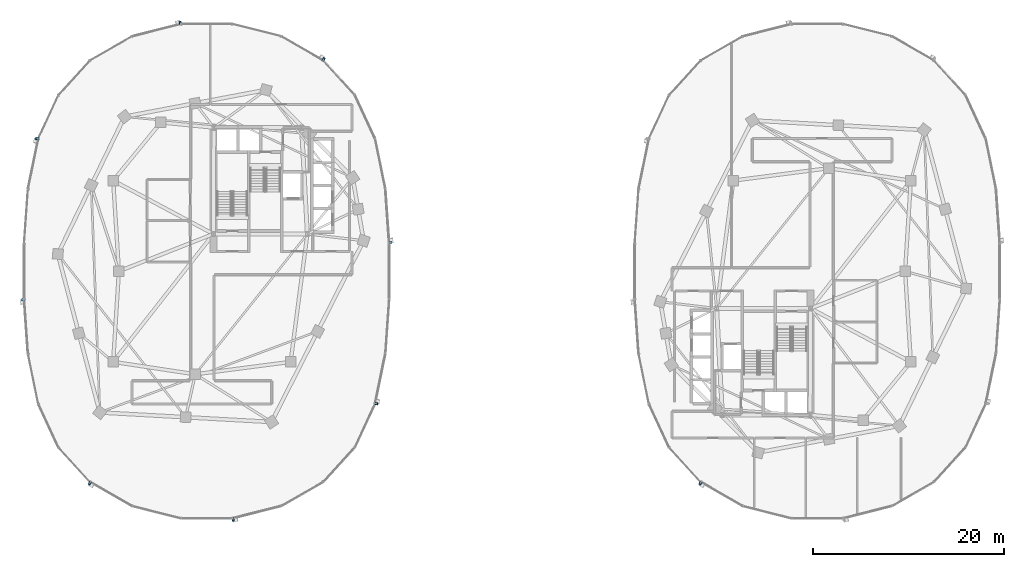
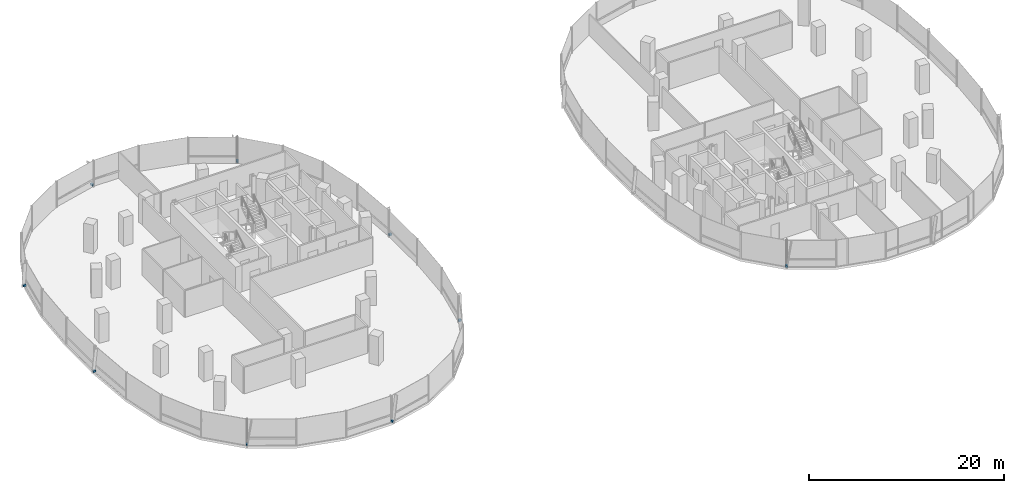
# One storey, part 14 of 20: 9 discrete accessories.
"""IFC4 building model written with IfcOpenShell, lengths in metres."""

from ifc_helpers import new_model, si_unit, direction, frame, origin, origin_2d, place, context, subcontext, project, spatial, rectangle, extrude, material, type_object, element, save


model = new_model("IFC4")

# Units and contexts
model_context = context("Model", 3, precision=1e-05, world=origin(), true_north=direction((0.0, 1.0)))
body_context = subcontext(model_context, "Body", "Model", "MODEL_VIEW")
ifc_project = project(units=[si_unit("LENGTHUNIT", "METRE"), si_unit("AREAUNIT", "SQUARE_METRE"), si_unit("VOLUMEUNIT", "CUBIC_METRE"), si_unit("PLANEANGLEUNIT", "RADIAN"), si_unit("MASSUNIT", "GRAM", prefix="KILO"), si_unit("THERMODYNAMICTEMPERATUREUNIT", "KELVIN"), si_unit("POWERUNIT", "WATT")], contexts=[model_context])

# Site, building, storey
site_placement = place(None, origin())
site = spatial("IfcSite", under=ifc_project, at=site_placement, CompositionType="ELEMENT")
building_placement = place(site_placement, origin())
building = spatial("IfcBuilding", under=site, at=building_placement, Name="Cundina Bronze Exchange", CompositionType="ELEMENT")
storey_placement = place(building_placement, frame((0.0, 0.0, 128.60009765625)))
storey = spatial("IfcBuildingStorey", under=building, at=storey_placement, Name="L33", CompositionType="ELEMENT", Elevation=128.60009765625)

# Discrete accessories
ifc_material = material(Name="Anodised Bronze Aluminium 6063-T6", Category="aluminium")
discrete_accessory_type = type_object("IfcDiscreteAccessoryType", Name="ACC-BRK-FIN", PredefinedType="BRACKET", material=ifc_material)
for number, where, z_axis, x_axis, name in (
    (1, (-12.735595703125, 2.986083984375, 0.10009765625), (0.0, 0.0, 1.0), (-0.070278787473, 0.997527389113, 0.0), "L33 Fin Support Bracket 1"),
    (2, (-19.740478515625, 22.21875, 0.10009765625), (0.0, 0.0, 1.0), (-0.867105478933, 0.498124571171, 0.0), "L33 Fin Support Bracket 5"),
    (3, (-34.76025390625, 26.03173828125, 0.10009765625), (0.0, 0.0, 1.0), (-0.969488149345, -0.245138182011, 0.0), "L33 Fin Support Bracket 1"),
    (4, (-49.788330078125, 13.8896484375, 0.10009765625), (0.0, 0.0, 1.0), (-0.201419845156, -0.979505000486, 0.0), "L33 Fin Support Bracket 5"),
    (5, (-51.264404296875, -2.986083984375, 0.10009765625), (0.0, 0.0, 1.0), (0.070278787473, -0.997527389113, 0.0), "L33 Fin Support Bracket 1"),
    (6, (-44.259521484375, -22.21875, 0.10009765625), (0.0, 0.0, 1.0), (0.867105478933, -0.498124571171, 0.0), "L33 Fin Support Bracket 5"),
    (7, (-29.23974609375, -26.03173828125, 0.10009765625), (0.0, 0.0, 1.0), (0.969488149345, 0.245138182011, 0.0), "L33 Fin Support Bracket 1"),
    (8, (-14.211669921875, -13.8896484375, 0.10009765625), (0.0, 0.0, 1.0), (0.201419845156, 0.979505000486, 0.0), "L33 Fin Support Bracket 5"),
    (9, (19.740478515625, -22.21875, 0.10009765625), (0.0, 0.0, 1.0), (0.867105478933, -0.498124571171, 0.0), "L33 Fin Support Bracket 5"),
):
    element("IfcDiscreteAccessory", number, at=place(storey_placement, frame(where, z_axis=z_axis, x_axis=x_axis)), inside=storey, type_object=discrete_accessory_type, Name=name, PredefinedType="BRACKET", context=body_context, shape_type="SweptSolid", body=[
        extrude(rectangle(XDim=0.219970703125, YDim=0.320068359375, at=origin_2d()), origin(), (0.0, 0.0, 1.0), 0.239990234375),
    ])

save(model, "model.ifc")
